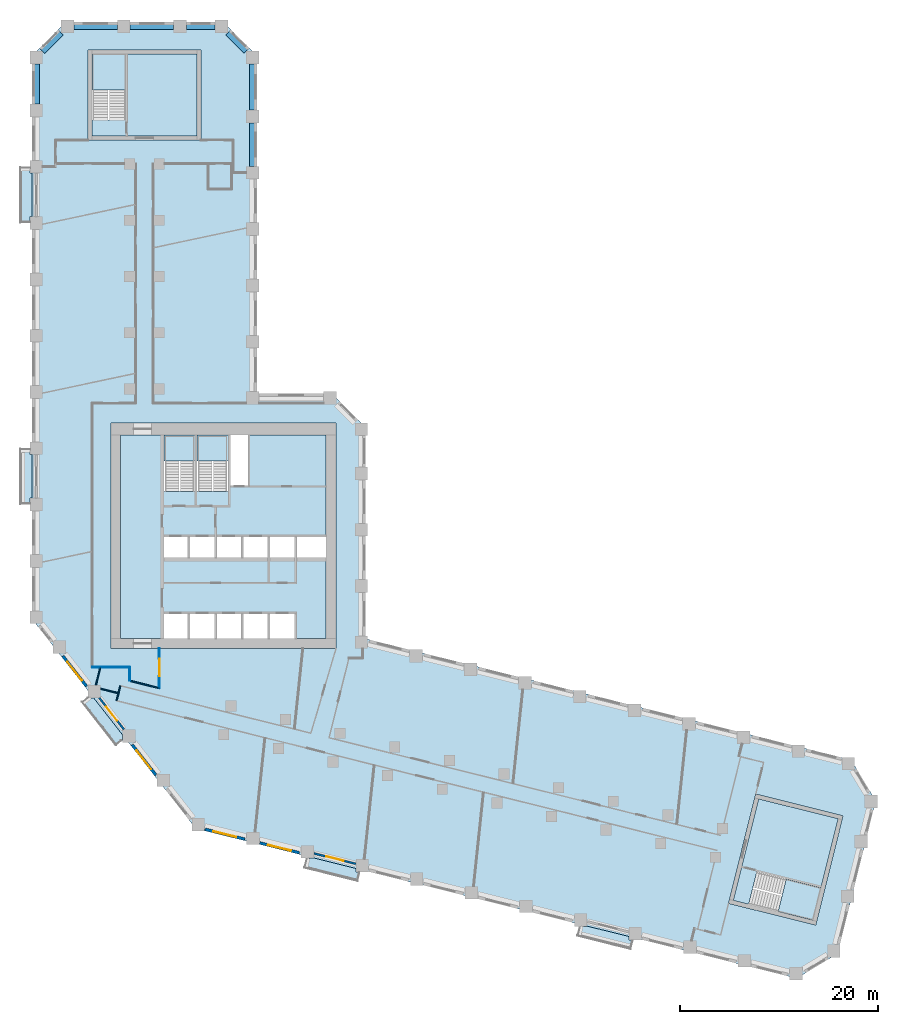
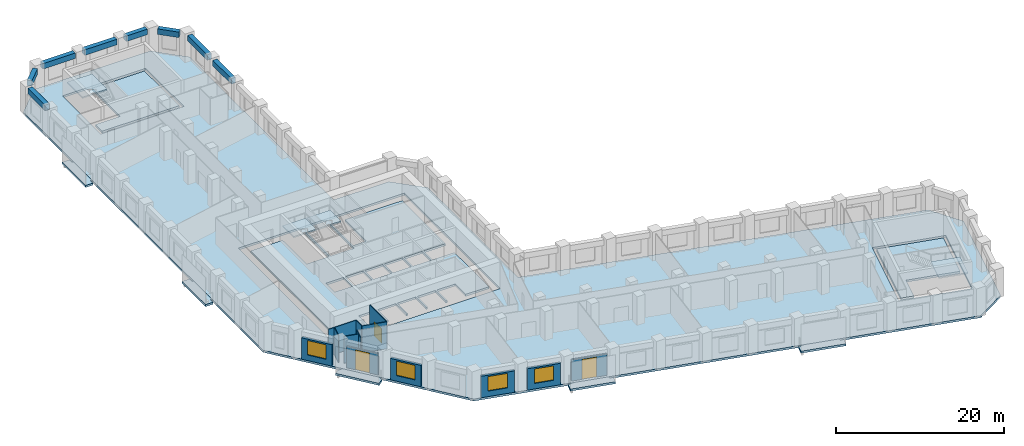
# One storey, part 2 of 11: 13 slabs, 13 walls, 8 beams, 4 windows, 3 doors, 7 openings, 4 elements without a shape of their own.
"""IFC4 building model written with IfcOpenShell, lengths in metres."""

from ifc_helpers import new_model, si_unit, direction, frame, frame_2d, origin, origin_2d, place, context, subcontext, project, spatial, polyline, rectangle, outline, extrude, material, layer, layer_set, material_profile, profile_set, type_object, element, fill, aggregate, save


model = new_model("IFC4")

# Units and contexts
model_context = context("Model", 3, precision=1e-05, world=origin(), true_north=direction((0.0, 1.0)))
body_context = subcontext(model_context, "Body", "Model", "MODEL_VIEW")
ifc_project = project(units=[si_unit("LENGTHUNIT", "METRE"), si_unit("AREAUNIT", "SQUARE_METRE"), si_unit("VOLUMEUNIT", "CUBIC_METRE"), si_unit("PLANEANGLEUNIT", "RADIAN"), si_unit("MASSUNIT", "GRAM", prefix="KILO")], contexts=[model_context])

# Site, building, storey
site_placement = place(None, origin())
site = spatial("IfcSite", under=ifc_project, at=site_placement, CompositionType="ELEMENT")
building_placement = place(site_placement, origin())
building = spatial("IfcBuilding", under=site, at=building_placement, Name="Meshkara Civic Tower", CompositionType="ELEMENT")
storey_placement = place(building_placement, frame((0.0, 0.0, 135.0)))
storey = spatial("IfcBuildingStorey", under=building, at=storey_placement, Name="L30", CompositionType="ELEMENT", Elevation=135.0)

# Beams
ifc_material_1 = material(Name="Concrete C70", Category="concrete")
ifc_material_profile = material_profile(ifc_material_1, rectangle(XDim=0.60009765625, YDim=0.800048828125, at=origin_2d()))
ifc_profile_set = profile_set([ifc_material_profile], Name="Concrete C70")
beam_type = type_object("IfcBeamType", Name="Spandrel beam RC 600x800 C70", PredefinedType="BEAM", material=ifc_profile_set)
beam_1_placement = place(storey_placement, frame((22.35009765625, 62.89501953125, 3.5), z_axis=(0.0, 1.0, 0.0), x_axis=(-1.0, 0.0, 0.0)))
element("IfcBeam", 1, at=beam_1_placement, inside=storey, type_object=beam_type, Name="Spandrel beam AE04-AE05", PredefinedType="BEAM", context=body_context, shape_type="SweptSolid", body=[
    extrude(rectangle(XDim=0.60009765625, YDim=0.800048828125, at=origin_2d()), origin(), (0.0, 0.0, 1.0), 4.409912109375),
])
beam_2_placement = place(storey_placement, frame((22.35009765625, 68.594970703125, 3.5), z_axis=(0.0, 1.0, 0.0), x_axis=(-1.0, 0.0, 0.0)))
element("IfcBeam", 2, at=beam_2_placement, inside=storey, type_object=beam_type, Name="Spandrel beam AE05-AEEP1", PredefinedType="BEAM", context=body_context, shape_type="SweptSolid", body=[
    extrude(rectangle(XDim=0.60009765625, YDim=0.800048828125, at=origin_2d()), origin(), (0.0, 0.0, 1.0), 4.674072265625),
])
beam_3_placement = place(storey_placement, frame((21.70361328125, 74.560546875, 3.5), z_axis=(-0.707106781187, 0.707106781187, 0.0), x_axis=(-0.707106781187, -0.707106781187, 0.0)))
element("IfcBeam", 3, at=beam_3_placement, inside=storey, type_object=beam_type, Name="Spandrel beam AEEP1-ATiEP1", PredefinedType="BEAM", context=body_context, shape_type="SweptSolid", body=[
    extrude(rectangle(XDim=0.60009765625, YDim=0.800048828125, at=origin_2d()), origin(), (0.0, 0.0, 1.0), 2.634765625),
])
beam_4_placement = place(storey_placement, frame((18.549072265625, 77.070068359375, 3.5), z_axis=(-1.0, 0.0, 0.0), x_axis=(0.0, -1.0, 0.0)))
element("IfcBeam", 4, at=beam_4_placement, inside=storey, type_object=beam_type, Name="Spandrel beam AT02-P1-ATiEP1", PredefinedType="BEAM", context=body_context, shape_type="SweptSolid", body=[
    extrude(rectangle(XDim=0.60009765625, YDim=0.800048828125, at=origin_2d()), origin(), (0.0, 0.0, 1.0), 2.898193359375),
])
beam_5_placement = place(storey_placement, frame((14.361083984375, 77.070068359375, 3.5), z_axis=(-1.0, 0.0, 0.0), x_axis=(0.0, -1.0, 0.0)))
element("IfcBeam", 5, at=beam_5_placement, inside=storey, type_object=beam_type, Name="Spandrel beam AT01-P1-AT02-P1", PredefinedType="BEAM", context=body_context, shape_type="SweptSolid", body=[
    extrude(rectangle(XDim=0.60009765625, YDim=0.800048828125, at=origin_2d()), origin(), (0.0, 0.0, 1.0), 4.41015625),
])
beam_6_placement = place(storey_placement, frame((8.660888671875, 77.070068359375, 3.5), z_axis=(-1.0, 0.0, 0.0), x_axis=(0.0, -1.0, 0.0)))
element("IfcBeam", 6, at=beam_6_placement, inside=storey, type_object=beam_type, Name="Spandrel beam AT00-P1-AT01-P1", PredefinedType="BEAM", context=body_context, shape_type="SweptSolid", body=[
    extrude(rectangle(XDim=0.60009765625, YDim=0.800048828125, at=origin_2d()), origin(), (0.0, 0.0, 1.0), 4.409912109375),
])
beam_7_placement = place(storey_placement, frame((2.95947265625, 76.423583984375, 3.5), z_axis=(-0.707106781187, -0.707106781187, 0.0), x_axis=(0.707106781187, -0.707106781187, 0.0)))
element("IfcBeam", 7, at=beam_7_placement, inside=storey, type_object=beam_type, Name="Spandrel beam AT00-P1-ATo00-P1", PredefinedType="BEAM", context=body_context, shape_type="SweptSolid", body=[
    extrude(rectangle(XDim=0.60009765625, YDim=0.800048828125, at=origin_2d()), origin(), (0.0, 0.0, 1.0), 2.634765625),
])
beam_8_placement = place(storey_placement, frame((0.449951171875, 73.26904296875, 3.5), z_axis=(0.0, -1.0, 0.0), x_axis=(1.0, 0.0, 0.0)))
element("IfcBeam", 8, at=beam_8_placement, inside=storey, type_object=beam_type, Name="Spandrel beam ATo00-P1-AW09", PredefinedType="BEAM", context=body_context, shape_type="SweptSolid", body=[
    extrude(rectangle(XDim=0.60009765625, YDim=0.800048828125, at=origin_2d()), origin(), (0.0, 0.0, 1.0), 4.069091796875),
])

# Slabs
ifc_material_2 = material(Name="Concrete C40", Category="concrete")
ifc_layer_1 = layer(ifc_material_2, 0.300048828125)
ifc_layer_set_1 = layer_set([ifc_layer_1], Name="BALCONY SLAB")
slab_type_1 = type_object("IfcSlabType", Name="BALCONY SLAB", PredefinedType="FLOOR", material=ifc_layer_set_1)
slab_1_placement = place(storey_placement, frame((0.0, 0.0, -0.300048828125)))
element("IfcSlab", 9, at=slab_1_placement, inside=storey, type_object=slab_type_1, Name="Balcony slab", PredefinedType="FLOOR", context=body_context, shape_type="SweptSolid", body=[
    extrude(outline(polyline([(-1.199951171875, 57.215087890625), (-1.199951171875, 62.794921875), (-0.199951171875, 62.794921875), (-0.199951171875, 62.205078125), (0.0, 62.205078125), (0.0, 57.804931640625), (-0.199951171875, 57.804931640625), (-0.199951171875, 57.215087890625), (-1.199951171875, 57.215087890625)])), origin(), (0.0, 0.0, 1.0), 0.300048828125),
])
slab_2_placement = place(storey_placement, frame((0.0, 0.0, -0.300048828125)))
element("IfcSlab", 10, at=slab_2_placement, inside=storey, type_object=slab_type_1, Name="Balcony slab", PredefinedType="FLOOR", context=body_context, shape_type="SweptSolid", body=[
    extrude(outline(polyline([(-1.199951171875, 28.715087890625), (-1.199951171875, 34.294921875), (-0.199951171875, 34.294921875), (-0.199951171875, 33.705078125), (0.0, 33.705078125), (0.0, 29.304931640625), (-0.199951171875, 29.304931640625), (-0.199951171875, 28.715087890625), (-1.199951171875, 28.715087890625)])), origin(), (0.0, 0.0, 1.0), 0.300048828125),
])
slab_3_placement = place(storey_placement, frame((0.0, 0.0, -0.300048828125)))
element("IfcSlab", 11, at=slab_3_placement, inside=storey, type_object=slab_type_1, Name="Balcony slab", PredefinedType="FLOOR", context=body_context, shape_type="SweptSolid", body=[
    extrude(outline(polyline([(8.49609375, 4.27587890625), (5.06005859375, 8.674072265625), (5.673095703125, 9.153076171875), (5.673095703125, 9.0869140625), (6.260009765625, 9.0869140625), (9.18310546875, 5.345947265625), (9.18310546875, 4.81298828125), (8.49609375, 4.27587890625)])), origin(), (0.0, 0.0, 1.0), 0.300048828125),
])
slab_4_placement = place(storey_placement, frame((0.0, 0.0, -0.300048828125)))
element("IfcSlab", 12, at=slab_4_placement, inside=storey, type_object=slab_type_1, Name="Balcony slab", PredefinedType="FLOOR", context=body_context, shape_type="SweptSolid", body=[
    extrude(outline(polyline([(32.986083984375, -9.4609375), (27.571044921875, -8.111083984375), (27.81201171875, -7.14599609375), (28.56201171875, -7.14599609375), (28.56201171875, -7.12109375), (32.79296875, -8.176025390625), (32.79296875, -8.52490234375), (33.218994140625, -8.52490234375), (32.986083984375, -9.4609375)])), origin(), (0.0, 0.0, 1.0), 0.300048828125),
])
slab_5_placement = place(storey_placement, frame((0.0, 0.0, -0.300048828125)))
element("IfcSlab", 13, at=slab_5_placement, inside=storey, type_object=slab_type_1, Name="Balcony slab", PredefinedType="FLOOR", context=body_context, shape_type="SweptSolid", body=[
    extrude(outline(polyline([(60.639892578125, -16.35595703125), (55.22509765625, -15.006103515625), (55.466064453125, -14.0400390625), (56.216064453125, -14.0400390625), (56.216064453125, -14.01611328125), (60.447021484375, -15.071044921875), (60.447021484375, -15.4189453125), (60.873046875, -15.4189453125), (60.639892578125, -16.35595703125)])), origin(), (0.0, 0.0, 1.0), 0.300048828125),
])
ifc_material_3 = material(Name="Concrete C40/50", Category="concrete")
ifc_layer_2 = layer(ifc_material_3, 0.300048828125)
ifc_layer_set_2 = layer_set([ifc_layer_2], Name="Core floor slab 300 C40/50")
slab_type_2 = type_object("IfcSlabType", Name="Core floor slab 300 C40/50", PredefinedType="FLOOR", material=ifc_layer_set_2)
slab_6_placement = place(storey_placement, frame((0.0, 0.0, -0.300048828125)))
element("IfcSlab", 14, at=slab_6_placement, inside=storey, type_object=slab_type_2, Name="Core floor K", PredefinedType="FLOOR", context=body_context, shape_type="SweptSolid", body=[
    extrude(outline(polyline([(9.0, 35.699951171875), (13.39990234375, 35.699951171875), (13.39990234375, 30.00146484375), (16.5, 30.00146484375), (16.5, 35.699951171875), (16.699951171875, 35.699951171875), (16.699951171875, 30.00146484375), (19.89990234375, 30.00146484375), (19.89990234375, 35.699951171875), (20.10009765625, 35.699951171875), (20.10009765625, 30.574951171875), (21.925048828125, 30.574951171875), (21.925048828125, 35.699951171875), (29.800048828125, 35.699951171875), (29.800048828125, 25.39990234375), (26.800048828125, 25.39990234375), (26.800048828125, 23.300048828125), (29.800048828125, 23.300048828125), (29.800048828125, 15.10009765625), (26.60009765625, 15.10009765625), (26.60009765625, 17.60009765625), (24.10009765625, 17.60009765625), (24.10009765625, 15.10009765625), (23.89990234375, 15.10009765625), (23.89990234375, 17.60009765625), (21.39990234375, 17.60009765625), (21.39990234375, 15.10009765625), (21.199951171875, 15.10009765625), (21.199951171875, 17.60009765625), (18.699951171875, 17.60009765625), (18.699951171875, 15.10009765625), (18.5, 15.10009765625), (18.5, 17.60009765625), (16.0, 17.60009765625), (16.0, 15.10009765625), (15.800048828125, 15.10009765625), (15.800048828125, 17.60009765625), (13.39990234375, 17.60009765625), (13.39990234375, 15.10009765625), (9.0, 15.10009765625), (9.0, 35.699951171875)]), holes=[polyline([(13.39990234375, 25.39990234375), (13.39990234375, 23.300048828125), (15.800048828125, 23.300048828125), (15.800048828125, 25.39990234375), (13.39990234375, 25.39990234375)]), polyline([(18.5, 23.300048828125), (18.5, 25.39990234375), (16.0, 25.39990234375), (16.0, 23.300048828125), (18.5, 23.300048828125)]), polyline([(18.699951171875, 25.39990234375), (18.699951171875, 23.300048828125), (21.199951171875, 23.300048828125), (21.199951171875, 25.39990234375), (18.699951171875, 25.39990234375)]), polyline([(23.89990234375, 25.39990234375), (21.39990234375, 25.39990234375), (21.39990234375, 23.300048828125), (23.89990234375, 23.300048828125), (23.89990234375, 25.39990234375)]), polyline([(24.10009765625, 23.300048828125), (26.60009765625, 23.300048828125), (26.60009765625, 25.39990234375), (24.10009765625, 25.39990234375), (24.10009765625, 23.300048828125)])]), origin(), (0.0, 0.0, 1.0), 0.300048828125),
])
slab_7_placement = place(storey_placement, frame((0.0, 0.0, -0.300048828125)))
element("IfcSlab", 15, at=slab_7_placement, inside=storey, type_object=slab_type_2, Name="Core floor EA", PredefinedType="FLOOR", context=body_context, shape_type="SweptSolid", body=[
    extrude(outline(polyline([(16.699951171875, 65.969970703125), (16.699951171875, 74.27001953125), (9.5, 74.27001953125), (9.5, 67.571533203125), (6.10009765625, 67.571533203125), (6.10009765625, 65.969970703125), (16.699951171875, 65.969970703125)])), origin(), (0.0, 0.0, 1.0), 0.300048828125),
])
slab_8_placement = place(storey_placement, frame((0.0, 0.0, -0.300048828125)))
element("IfcSlab", 16, at=slab_8_placement, inside=storey, type_object=slab_type_2, Name="Core floor EB", PredefinedType="FLOOR", context=body_context, shape_type="SweptSolid", body=[
    extrude(outline(polyline([(73.581298828125, -1.134521484375), (81.634521484375, -3.142578125), (79.892822265625, -10.128662109375), (73.393310546875, -8.508056640625), (72.57080078125, -11.80712890625), (71.016845703125, -11.419677734375), (73.581298828125, -1.134521484375)])), origin(), (0.0, 0.0, 1.0), 0.300048828125),
])

# Stair, slab
ifc_material_4 = material(Name="Precast concrete C40/50", Category="concrete")
stair_type_1 = type_object("IfcStairType", Name="Exit stair half-turn 24 risers precast", PredefinedType="HALF_TURN_STAIR", material=ifc_material_4)
stair_1_placement = place(storey_placement, origin())
stair_1 = element("IfcStair", 17, at=stair_1_placement, inside=storey, type_object=stair_type_1, Name="L30 exit stair 1", PredefinedType="HALF_TURN_STAIR")
ifc_material_5 = material(Name="Precast concrete C40/50", Category="concrete")
ifc_layer_3 = layer(ifc_material_5, 0.199951171875)
ifc_layer_set_3 = layer_set([ifc_layer_3], Name="Exit stair landing 200")
slab_type_3 = type_object("IfcSlabType", Name="Exit stair landing 200", PredefinedType="LANDING", material=ifc_layer_set_3)
slab_9_placement = place(storey_placement, frame((0.0, 0.0, 1.89990234375)))
slab_9 = element("IfcSlab", 18, at=slab_9_placement, type_object=slab_type_3, Name="ST1 landing 1", PredefinedType="LANDING", context=body_context, shape_type="SweptSolid", body=[
    extrude(outline(polyline([(16.5, 33.07861328125), (16.5, 35.699951171875), (13.39990234375, 35.699951171875), (13.39990234375, 33.07861328125), (16.5, 33.07861328125)])), origin(), (0.0, 0.0, 1.0), 0.2001953125),
])
aggregate(stair_1, [slab_9])

stair_2_placement = place(storey_placement, origin())
stair_2 = element("IfcStair", 19, at=stair_2_placement, inside=storey, type_object=stair_type_1, Name="L30 exit stair 2", PredefinedType="HALF_TURN_STAIR")
slab_10_placement = place(storey_placement, frame((0.0, 0.0, 1.89990234375)))
slab_10 = element("IfcSlab", 20, at=slab_10_placement, type_object=slab_type_3, Name="ST2 landing 1", PredefinedType="LANDING", context=body_context, shape_type="SweptSolid", body=[
    extrude(outline(polyline([(19.89990234375, 33.07861328125), (19.89990234375, 35.699951171875), (16.699951171875, 35.699951171875), (16.699951171875, 33.07861328125), (19.89990234375, 33.07861328125)])), origin(), (0.0, 0.0, 1.0), 0.2001953125),
])
aggregate(stair_2, [slab_10])

ifc_material_6 = material(Name="Precast concrete C40/50", Category="concrete")
stair_type_2 = type_object("IfcStairType", Name="Exit stair half-turn 24 risers 1600 precast", PredefinedType="HALF_TURN_STAIR", material=ifc_material_6)
stair_3_placement = place(storey_placement, origin())
stair_3 = element("IfcStair", 21, at=stair_3_placement, inside=storey, type_object=stair_type_2, Name="L30 exit stair A from L20", PredefinedType="HALF_TURN_STAIR")
slab_11_placement = place(storey_placement, frame((0.0, 0.0, 1.89990234375)))
slab_11 = element("IfcSlab", 22, at=slab_11_placement, type_object=slab_type_3, Name="ESA2 landing 1", PredefinedType="LANDING", context=body_context, shape_type="SweptSolid", body=[
    extrude(outline(polyline([(9.5, 70.6484375), (9.5, 74.27001953125), (6.10009765625, 74.27001953125), (6.10009765625, 70.6484375), (9.5, 70.6484375)])), origin(), (0.0, 0.0, 1.0), 0.2001953125),
])
aggregate(stair_3, [slab_11])

stair_4_placement = place(storey_placement, origin())
stair_4 = element("IfcStair", 23, at=stair_4_placement, inside=storey, type_object=stair_type_2, Name="L30 exit stair B from L20", PredefinedType="HALF_TURN_STAIR")
slab_12_placement = place(storey_placement, frame((0.0, 0.0, 1.89990234375)))
slab_12 = element("IfcSlab", 24, at=slab_12_placement, type_object=slab_type_3, Name="ESB2 landing 1", PredefinedType="LANDING", context=body_context, shape_type="SweptSolid", body=[
    extrude(outline(polyline([(75.5556640625, -12.55224609375), (79.06982421875, -13.428955078125), (79.89306640625, -10.12890625), (76.379150390625, -9.25244140625), (75.5556640625, -12.55224609375)])), origin(), (0.0, 0.0, 1.0), 0.2001953125),
])
aggregate(stair_4, [slab_12])

# Slab
ifc_material_7 = material(Name="Concrete C50", Category="concrete")
ifc_layer_4 = layer(ifc_material_7, 0.300048828125)
ifc_layer_set_4 = layer_set([ifc_layer_4], Name="Post-tensioned flat slab 300 C50")
slab_type_4 = type_object("IfcSlabType", Name="Post-tensioned flat slab 300 C50", PredefinedType="FLOOR", material=ifc_layer_set_4)
slab_13_placement = place(storey_placement, frame((0.0, 0.0, -0.300048828125)))
element("IfcSlab", 25, at=slab_13_placement, inside=storey, type_object=slab_type_4, Name="Post-tensioned flat slab L30", PredefinedType="FLOOR", context=body_context, shape_type="SweptSolid", body=[
    extrude(outline(polyline([(81.574951171875, -16.81396484375), (77.429931640625, -19.304931640625), (16.592041015625, -4.136962890625), (0.0, 17.10009765625), (0.0, 74.10009765625), (3.419921875, 77.52001953125), (19.3798828125, 77.52001953125), (22.800048828125, 74.10009765625), (22.800048828125, 39.89990234375), (30.3798828125, 39.89990234375), (33.800048828125, 36.47998046875), (33.800048828125, 15.071044921875), (82.945068359375, 2.81689453125), (85.43603515625, -1.327880859375), (81.574951171875, -16.81396484375)]), holes=[polyline([(79.362060546875, -13.9130859375), (82.1201171875, -2.85107421875), (73.2900390625, -0.64990234375), (70.531982421875, -11.7109375), (79.362060546875, -13.9130859375)]), polyline([(8.0, 14.10009765625), (30.800048828125, 14.10009765625), (30.800048828125, 36.89990234375), (8.0, 36.89990234375), (8.0, 14.10009765625)]), polyline([(5.699951171875, 74.669921875), (5.699951171875, 65.570068359375), (17.10009765625, 65.570068359375), (17.10009765625, 74.669921875), (5.699951171875, 74.669921875)])]), origin(), (0.0, 0.0, 1.0), 0.300048828125),
])

# Walls
ifc_material_8 = material(Name="Corridor wall 100")
ifc_layer_5 = layer(ifc_material_8, 0.10009765625)
ifc_layer_set_5 = layer_set([ifc_layer_5], Name="Corridor wall 100")
wall_type_1 = type_object("IfcWallType", Name="Corridor wall 100", PredefinedType="PARTITIONING", material=ifc_layer_set_5)
wall_1_placement = place(storey_placement, frame((6.10009765625, 12.199951171875, 0.0), z_axis=(0.0, 0.0, 1.0), x_axis=(1.0, 0.0, 0.0)))
element("IfcWall", 26, at=wall_1_placement, inside=storey, type_object=wall_type_1, Name="L30-W004", PredefinedType="PARTITIONING", context=body_context, shape_type="SweptSolid", body=[
    extrude(rectangle(XDim=3.7998046875, YDim=0.10009765625, at=frame_2d((1.89990234375, 0.0))), origin(), (0.0, 0.0, 1.0), 3.89990234375),
])
wall_2_placement = place(storey_placement, frame((8.9580078125, 10.322998046875, 0.0), z_axis=(0.0, 0.0, 1.0), x_axis=(-0.241875508386, -0.97030729073, 0.0)))
element("IfcWall", 27, at=wall_2_placement, inside=storey, type_object=wall_type_1, Name="L30-W008", PredefinedType="PARTITIONING", context=body_context, shape_type="SweptSolid", body=[
    extrude(rectangle(XDim=1.566650390625, YDim=0.10009765625, at=frame_2d((0.783203125, 0.0))), origin(), (0.0, 0.0, 1.0), 3.89990234375),
])
wall_3_placement = place(storey_placement, frame((9.89990234375, 10.825927734375, 0.0), z_axis=(0.0, 0.0, 1.0), x_axis=(0.970290953223, -0.241941038466, 0.0)))
element("IfcWall", 28, at=wall_3_placement, inside=storey, type_object=wall_type_1, Name="L30-W009", PredefinedType="PARTITIONING", context=body_context, shape_type="SweptSolid", body=[
    extrude(rectangle(XDim=3.091796875, YDim=0.10009765625, at=frame_2d((1.5458984375, 0.0))), origin(), (0.0, 0.0, 1.0), 3.89990234375),
])
wall_4_placement = place(storey_placement, frame((9.89990234375, 12.199951171875, 0.0), z_axis=(0.0, 0.0, 1.0), x_axis=(0.0, -1.0, 0.0)))
element("IfcWall", 29, at=wall_4_placement, inside=storey, type_object=wall_type_1, Name="L30-W010", PredefinedType="PARTITIONING", context=body_context, shape_type="SweptSolid", body=[
    extrude(rectangle(XDim=1.3740234375, YDim=0.10009765625, at=frame_2d((0.68701171875, 0.0))), origin(), (0.0, 0.0, 1.0), 3.89990234375),
])

# Wall, opening, door
wall_5_placement = place(storey_placement, frame((12.89990234375, 10.077880859375, 0.0), z_axis=(0.0, 0.0, 1.0), x_axis=(0.0, 1.0, 0.0)))
wall_5 = element("IfcWall", 30, at=wall_5_placement, inside=storey, type_object=wall_type_1, Name="L30-W014", PredefinedType="PARTITIONING", context=body_context, shape_type="SweptSolid", body=[
    extrude(rectangle(XDim=4.022216796875, YDim=0.10009765625, at=frame_2d((2.01123046875, 0.0))), origin(), (0.0, 0.0, 1.0), 3.89990234375),
])
opening_1_placement = place(wall_5_placement, frame((1.179931640625, 0.0, 0.0)))
opening_1 = element("IfcOpeningElement", 31, at=opening_1_placement, cuts=wall_5, Name="Opening L30-D015", PredefinedType="OPENING", context=body_context, shape_type="SweptSolid", body=[
    extrude(rectangle(XDim=1.800048828125, YDim=2.10009765625, at=frame_2d((0.89990234375, 1.050048828125))), frame((0.0, 0.06005859375, 0.0), z_axis=(0.0, -1.0, 0.0), x_axis=(1.0, 0.0, 0.0)), (0.0, 0.0, 1.0), 0.1201171875),
])
ifc_material_9 = material(Name="Door pair 1800 x 2100")
door_type_1 = type_object("IfcDoorType", Name="Door pair 1800 x 2100", OperationType="SINGLE_SWING_LEFT", PredefinedType="DOOR", material=ifc_material_9)
door_1_placement = place(opening_1_placement, origin())
door_1 = element("IfcDoor", 32, at=door_1_placement, inside=storey, type_object=door_type_1, Name="L30-D015", OperationType="DOUBLE_DOOR_SINGLE_SWING", OverallHeight=2.10009765625, OverallWidth=1.800048828125, PredefinedType="DOOR", context=body_context, shape_type="SweptSolid", body=[
    extrude(rectangle(XDim=1.800048828125, YDim=2.10009765625, at=frame_2d((0.89990234375, 1.050048828125))), frame((0.0, 0.02490234375, 0.0), z_axis=(0.0, -1.0, 0.0), x_axis=(1.0, 0.0, 0.0)), (0.0, 0.0, 1.0), 0.050048828125),
])
fill(opening_1, door_1)

# Wall, opening, window
ifc_material_10 = material(Name="Insulated infill panel with bronze anodised aluminium cladding", Category="aluminium")
ifc_layer_6 = layer(ifc_material_10, 0.300048828125)
ifc_layer_set_6 = layer_set([ifc_layer_6], Name="EXTERNAL INFILL WALL 300")
wall_type_2 = type_object("IfcWallType", Name="EXTERNAL INFILL WALL 300", PredefinedType="SOLIDWALL", material=ifc_layer_set_6)
wall_6_placement = place(storey_placement, frame((3.138916015625, 13.324951171875, 0.0), z_axis=(0.0, 0.0, 1.0), x_axis=(0.615779754703, -0.787918329332, 0.0)))
wall_6 = element("IfcWall", 33, at=wall_6_placement, inside=storey, type_object=wall_type_2, Name="External wall", PredefinedType="SOLIDWALL", context=body_context, shape_type="SweptSolid", body=[
    extrude(rectangle(XDim=3.874755859375, YDim=0.300048828125, at=frame_2d((1.9375, 0.0))), origin(), (0.0, 0.0, 1.0), 3.10009765625),
])
opening_2_placement = place(wall_6_placement, frame((0.738037109375, 0.0, 0.800048828125)))
opening_2 = element("IfcOpeningElement", 34, at=opening_2_placement, cuts=wall_6, Name="Opening W7", PredefinedType="OPENING", context=body_context, shape_type="SweptSolid", body=[
    extrude(rectangle(XDim=2.39990234375, YDim=2.10009765625, at=frame_2d((1.199951171875, 1.050048828125))), frame((0.0, 0.159912109375, 0.0), z_axis=(0.0, -1.0, 0.0), x_axis=(1.0, 0.0, 0.0)), (0.0, 0.0, 1.0), 0.320068359375),
])
ifc_material_11 = material(Name="Tinted double glazing", Category="glass")
window_type = type_object("IfcWindowType", Name="WINDOW 2400x2100", PartitioningType="DOUBLE_PANEL_VERTICAL", PredefinedType="WINDOW", material=ifc_material_11)
window_1_placement = place(opening_2_placement, origin())
window_1 = element("IfcWindow", 35, at=window_1_placement, inside=storey, type_object=window_type, Name="Window", OverallHeight=2.10009765625, OverallWidth=2.39990234375, PartitioningType="DOUBLE_PANEL_VERTICAL", PredefinedType="WINDOW", context=body_context, shape_type="SweptSolid", body=[
    extrude(rectangle(XDim=2.39990234375, YDim=2.10009765625, at=frame_2d((1.199951171875, 1.050048828125))), frame((0.0, 0.030029296875, 0.0), z_axis=(0.0, -1.0, 0.0), x_axis=(1.0, 0.0, 0.0)), (0.0, 0.0, 1.0), 0.06005859375),
])
fill(opening_2, window_1)

wall_7_placement = place(storey_placement, frame((10.157958984375, 4.341064453125, 0.0), z_axis=(0.0, 0.0, 1.0), x_axis=(0.615779754703, -0.787918329332, 0.0)))
wall_7 = element("IfcWall", 36, at=wall_7_placement, inside=storey, type_object=wall_type_2, Name="External wall", PredefinedType="SOLIDWALL", context=body_context, shape_type="SweptSolid", body=[
    extrude(rectangle(XDim=3.874755859375, YDim=0.300048828125, at=frame_2d((1.9375, 0.0))), origin(), (0.0, 0.0, 1.0), 3.10009765625),
])
opening_3_placement = place(wall_7_placement, frame((0.737060546875, 0.0, 0.800048828125)))
opening_3 = element("IfcOpeningElement", 37, at=opening_3_placement, cuts=wall_7, Name="Opening W7", PredefinedType="OPENING", context=body_context, shape_type="SweptSolid", body=[
    extrude(rectangle(XDim=2.39990234375, YDim=2.10009765625, at=frame_2d((1.199951171875, 1.050048828125))), frame((0.0, 0.159912109375, 0.0), z_axis=(0.0, -1.0, 0.0), x_axis=(1.0, 0.0, 0.0)), (0.0, 0.0, 1.0), 0.320068359375),
])
window_2_placement = place(opening_3_placement, origin())
window_2 = element("IfcWindow", 38, at=window_2_placement, inside=storey, type_object=window_type, Name="Window", OverallHeight=2.10009765625, OverallWidth=2.39990234375, PartitioningType="DOUBLE_PANEL_VERTICAL", PredefinedType="WINDOW", context=body_context, shape_type="SweptSolid", body=[
    extrude(rectangle(XDim=2.39990234375, YDim=2.10009765625, at=frame_2d((1.199951171875, 1.050048828125))), frame((0.0, 0.030029296875, 0.0), z_axis=(0.0, -1.0, 0.0), x_axis=(1.0, 0.0, 0.0)), (0.0, 0.0, 1.0), 0.06005859375),
])
fill(opening_3, window_2)

wall_8_placement = place(storey_placement, frame((17.54296875, -4.219970703125, 0.0), z_axis=(0.0, 0.0, 1.0), x_axis=(0.970337184445, -0.241755555227, 0.0)))
wall_8 = element("IfcWall", 39, at=wall_8_placement, inside=storey, type_object=wall_type_2, Name="External wall", PredefinedType="SOLIDWALL", context=body_context, shape_type="SweptSolid", body=[
    extrude(rectangle(XDim=4.124267578125, YDim=0.300048828125, at=frame_2d((2.06201171875, 0.0))), origin(), (0.0, 0.0, 1.0), 3.10009765625),
])
opening_4_placement = place(wall_8_placement, frame((0.862060546875, 0.0, 0.800048828125)))
opening_4 = element("IfcOpeningElement", 40, at=opening_4_placement, cuts=wall_8, Name="Opening W7", PredefinedType="OPENING", context=body_context, shape_type="SweptSolid", body=[
    extrude(rectangle(XDim=2.39990234375, YDim=2.10009765625, at=frame_2d((1.199951171875, 1.050048828125))), frame((0.0, 0.159912109375, 0.0), z_axis=(0.0, -1.0, 0.0), x_axis=(1.0, 0.0, 0.0)), (0.0, 0.0, 1.0), 0.320068359375),
])
window_3_placement = place(opening_4_placement, origin())
window_3 = element("IfcWindow", 41, at=window_3_placement, inside=storey, type_object=window_type, Name="Window", OverallHeight=2.10009765625, OverallWidth=2.39990234375, PartitioningType="DOUBLE_PANEL_VERTICAL", PredefinedType="WINDOW", context=body_context, shape_type="SweptSolid", body=[
    extrude(rectangle(XDim=2.39990234375, YDim=2.10009765625, at=frame_2d((1.199951171875, 1.050048828125))), frame((0.0, 0.030029296875, 0.0), z_axis=(0.0, -1.0, 0.0), x_axis=(1.0, 0.0, 0.0)), (0.0, 0.0, 1.0), 0.06005859375),
])
fill(opening_4, window_3)

wall_9_placement = place(storey_placement, frame((23.073974609375, -5.597900390625, 0.0), z_axis=(0.0, 0.0, 1.0), x_axis=(0.970267747908, -0.242034083076, 0.0)))
wall_9 = element("IfcWall", 42, at=wall_9_placement, inside=storey, type_object=wall_type_2, Name="External wall", PredefinedType="SOLIDWALL", context=body_context, shape_type="SweptSolid", body=[
    extrude(rectangle(XDim=4.12353515625, YDim=0.300048828125, at=frame_2d((2.061767578125, 0.0))), origin(), (0.0, 0.0, 1.0), 3.10009765625),
])
opening_5_placement = place(wall_9_placement, frame((0.862060546875, 0.0, 0.800048828125)))
opening_5 = element("IfcOpeningElement", 43, at=opening_5_placement, cuts=wall_9, Name="Opening W7", PredefinedType="OPENING", context=body_context, shape_type="SweptSolid", body=[
    extrude(rectangle(XDim=2.39990234375, YDim=2.10009765625, at=frame_2d((1.199951171875, 1.050048828125))), frame((0.0, 0.159912109375, 0.0), z_axis=(0.0, -1.0, 0.0), x_axis=(1.0, 0.0, 0.0)), (0.0, 0.0, 1.0), 0.320068359375),
])
window_4_placement = place(opening_5_placement, origin())
window_4 = element("IfcWindow", 44, at=window_4_placement, inside=storey, type_object=window_type, Name="Window", OverallHeight=2.10009765625, OverallWidth=2.39990234375, PartitioningType="DOUBLE_PANEL_VERTICAL", PredefinedType="WINDOW", context=body_context, shape_type="SweptSolid", body=[
    extrude(rectangle(XDim=2.39990234375, YDim=2.10009765625, at=frame_2d((1.199951171875, 1.050048828125))), frame((0.0, 0.030029296875, 0.0), z_axis=(0.0, -1.0, 0.0), x_axis=(1.0, 0.0, 0.0)), (0.0, 0.0, 1.0), 0.06005859375),
])
fill(opening_5, window_4)

# Wall, opening, door
ifc_material_12 = material(Name="Insulated infill panel with bronze anodised aluminium cladding", Category="aluminium")
ifc_layer_7 = layer(ifc_material_12, 0.199951171875)
ifc_layer_set_7 = layer_set([ifc_layer_7], Name="LOGGIA BACK WALL 200")
wall_type_3 = type_object("IfcWallType", Name="LOGGIA BACK WALL 200", PredefinedType="SOLIDWALL", material=ifc_layer_set_7)
wall_10_placement = place(storey_placement, frame((6.83203125, 9.0869140625, 0.0), z_axis=(0.0, 0.0, 1.0), x_axis=(0.615529395526, -0.788113927833, 0.0)))
wall_10 = element("IfcWall", 45, at=wall_10_placement, inside=storey, type_object=wall_type_3, Name="Loggia wall", PredefinedType="SOLIDWALL", context=body_context, shape_type="SweptSolid", body=[
    extrude(rectangle(XDim=4.050048828125, YDim=0.199951171875, at=frame_2d((2.02490234375, 0.0))), origin(), (0.0, 0.0, 1.0), 3.10009765625),
])
opening_6_placement = place(wall_10_placement, frame((1.125, 0.0, 0.0)))
opening_6 = element("IfcOpeningElement", 46, at=opening_6_placement, cuts=wall_10, Name="Opening L30-L003", PredefinedType="OPENING", context=body_context, shape_type="SweptSolid", body=[
    extrude(rectangle(XDim=1.800048828125, YDim=2.89990234375, at=frame_2d((0.89990234375, 1.449951171875))), frame((0.0, 0.10986328125, 0.0), z_axis=(0.0, -1.0, 0.0), x_axis=(1.0, 0.0, 0.0)), (0.0, 0.0, 1.0), 0.219970703125),
])
ifc_material_13 = material(Name="Tinted double glazing", Category="glass")
door_type_2 = type_object("IfcDoorType", Name="LOGGIA DOOR 1800x2900", OperationType="DOUBLE_DOOR_SINGLE_SWING", PredefinedType="DOOR", material=ifc_material_13)
door_2_placement = place(opening_6_placement, origin())
door_2 = element("IfcDoor", 47, at=door_2_placement, inside=storey, type_object=door_type_2, Name="L30-L003", OperationType="DOUBLE_DOOR_SINGLE_SWING", OverallHeight=2.89990234375, OverallWidth=1.800048828125, PredefinedType="DOOR", context=body_context, shape_type="SweptSolid", body=[
    extrude(rectangle(XDim=1.800048828125, YDim=2.89990234375, at=frame_2d((0.89990234375, 1.449951171875))), frame((0.0, 0.02490234375, 0.0), z_axis=(0.0, -1.0, 0.0), x_axis=(1.0, 0.0, 0.0)), (0.0, 0.0, 1.0), 0.050048828125),
])
fill(opening_6, door_2)

wall_11_placement = place(storey_placement, frame((28.56201171875, -6.657958984375, 0.0), z_axis=(0.0, 0.0, 1.0), x_axis=(0.970346363444, -0.241718710386, 0.0)))
wall_11 = element("IfcWall", 48, at=wall_11_placement, inside=storey, type_object=wall_type_3, Name="Loggia wall", PredefinedType="SOLIDWALL", context=body_context, shape_type="SweptSolid", body=[
    extrude(rectangle(XDim=4.3603515625, YDim=0.199951171875, at=frame_2d((2.18017578125, 0.0))), origin(), (0.0, 0.0, 1.0), 3.10009765625),
])
opening_7_placement = place(wall_11_placement, frame((1.280029296875, 0.0, 0.0)))
opening_7 = element("IfcOpeningElement", 49, at=opening_7_placement, cuts=wall_11, Name="Opening L30-L004", PredefinedType="OPENING", context=body_context, shape_type="SweptSolid", body=[
    extrude(rectangle(XDim=1.800048828125, YDim=2.89990234375, at=frame_2d((0.89990234375, 1.449951171875))), frame((0.0, 0.10986328125, 0.0), z_axis=(0.0, -1.0, 0.0), x_axis=(1.0, 0.0, 0.0)), (0.0, 0.0, 1.0), 0.219970703125),
])
door_3_placement = place(opening_7_placement, origin())
door_3 = element("IfcDoor", 50, at=door_3_placement, inside=storey, type_object=door_type_2, Name="L30-L004", OperationType="DOUBLE_DOOR_SINGLE_SWING", OverallHeight=2.89990234375, OverallWidth=1.800048828125, PredefinedType="DOOR", context=body_context, shape_type="SweptSolid", body=[
    extrude(rectangle(XDim=1.800048828125, YDim=2.89990234375, at=frame_2d((0.89990234375, 1.449951171875))), frame((0.0, 0.02490234375, 0.0), z_axis=(0.0, -1.0, 0.0), x_axis=(1.0, 0.0, 0.0)), (0.0, 0.0, 1.0), 0.050048828125),
])
fill(opening_7, door_3)

# Walls
ifc_material_14 = material(Name="Partition 100")
ifc_layer_8 = layer(ifc_material_14, 0.10009765625)
ifc_layer_set_8 = layer_set([ifc_layer_8], Name="Partition 100")
wall_type_4 = type_object("IfcWallType", Name="Partition 100", PredefinedType="PARTITIONING", material=ifc_layer_set_8)
wall_12_placement = place(storey_placement, frame((6.922119140625, 12.137939453125, 0.0), z_axis=(0.0, 0.0, 1.0), x_axis=(-0.242153635337, -0.970237917674, 0.0)))
element("IfcWall", 51, at=wall_12_placement, inside=storey, type_object=wall_type_4, Name="L30-W034", PredefinedType="PARTITIONING", context=body_context, shape_type="SweptSolid", body=[
    extrude(rectangle(XDim=1.8046875, YDim=0.10009765625, at=frame_2d((0.90234375, 0.0))), origin(), (0.0, 0.0, 1.0), 3.89990234375),
])
wall_13_placement = place(storey_placement, frame((8.718994140625, 9.574951171875, 0.0), z_axis=(0.0, 0.0, 1.0), x_axis=(-0.970333736057, 0.241769395645, 0.0)))
element("IfcWall", 52, at=wall_13_placement, inside=storey, type_object=wall_type_4, Name="L30-W035", PredefinedType="PARTITIONING", context=body_context, shape_type="SweptSolid", body=[
    extrude(rectangle(XDim=1.799560546875, YDim=0.10009765625, at=frame_2d((0.89990234375, 0.0))), origin(), (0.0, 0.0, 1.0), 3.89990234375),
])

save(model, "model.ifc")
